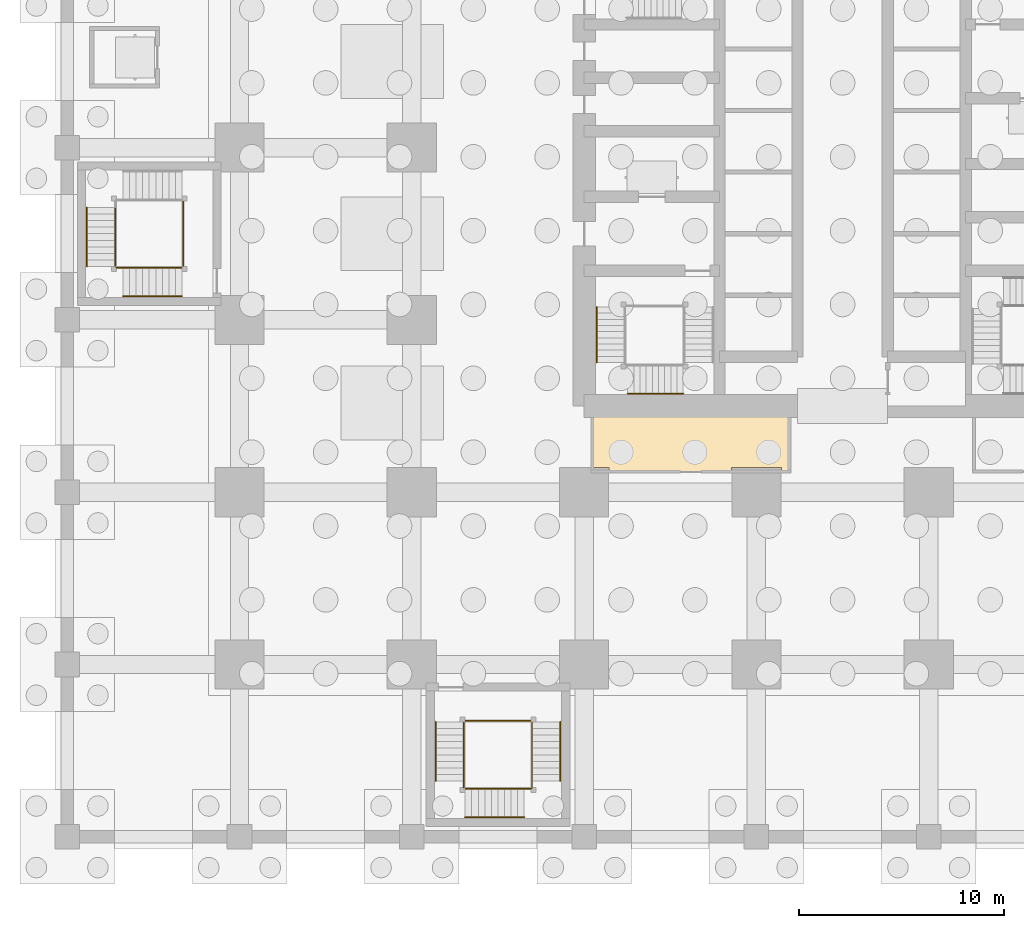
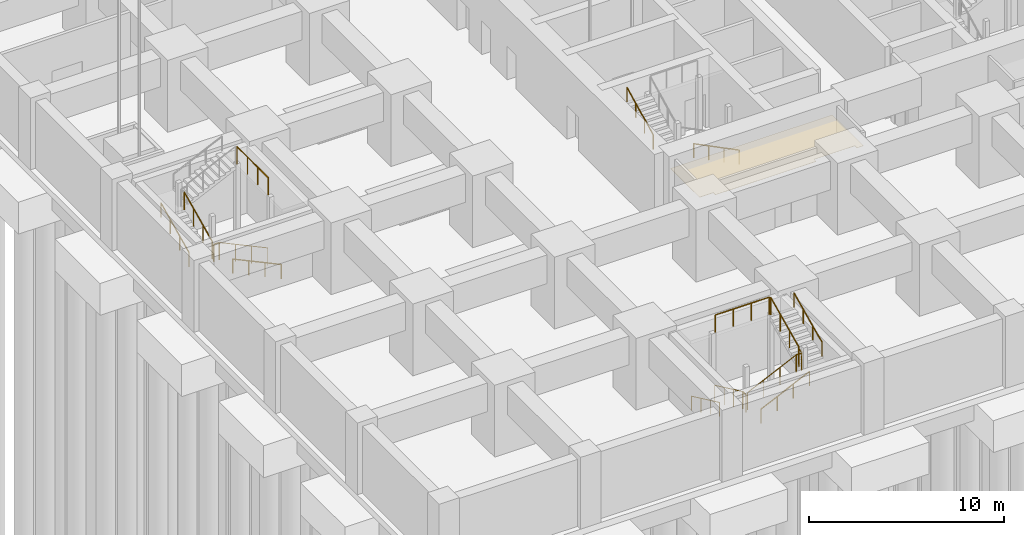
# One storey, part 12 of 28: 18 railings, 1 covering.
"""IFC4 building model written with IfcOpenShell, lengths in metres."""

from ifc_helpers import new_model, si_unit, direction, frame, origin, origin_2d, place, context, subcontext, project, spatial, polyline, circle, outline, extrude, material, layer, layer_set, type_object, element, save


model = new_model("IFC4")

# Units and contexts
model_context = context("Model", 3, precision=1e-05, world=origin(), true_north=direction((0.0, 1.0)))
body_context = subcontext(model_context, "Body", "Model", "MODEL_VIEW")
ifc_project = project(units=[si_unit("LENGTHUNIT", "METRE"), si_unit("AREAUNIT", "SQUARE_METRE"), si_unit("VOLUMEUNIT", "CUBIC_METRE"), si_unit("PLANEANGLEUNIT", "RADIAN"), si_unit("MASSUNIT", "GRAM", prefix="KILO")], contexts=[model_context])

# Site, building, storey
site_placement = place(None, origin())
site = spatial("IfcSite", under=ifc_project, at=site_placement, CompositionType="ELEMENT")
building_placement = place(site_placement, origin())
building = spatial("IfcBuilding", under=site, at=building_placement, Name="Rekha Terrace Tower", CompositionType="ELEMENT")
storey_placement = place(building_placement, frame((0.0, 0.0, -9.89990234375)))
storey = spatial("IfcBuildingStorey", under=building, at=storey_placement, Name="B-02", CompositionType="ELEMENT", Elevation=-9.89990234375)

# Covering
ifc_material_1 = material(Name="Fibre cement board", Category="finish")
ifc_layer = layer(ifc_material_1, 0.014892578125)
ifc_layer_set = layer_set([ifc_layer], Name="Fibre cement board")
covering_type = type_object("IfcCoveringType", Name="CL2 moisture-resistant board ceiling", PredefinedType="CEILING", material=ifc_layer_set)
covering_placement = place(storey_placement, frame((0.0, 0.0, 3.284912109375)))
element("IfcCovering", 1, at=covering_placement, inside=storey, type_object=covering_type, Name="Ceiling B-02-WCM", PredefinedType="CEILING", context=body_context, shape_type="SweptSolid", body=[
    extrude(outline(polyline([(35.199951171875, 21.0), (25.60009765625, 21.0), (25.60009765625, 18.014892578125), (26.4150390625, 18.014892578125), (26.4150390625, 17.800048828125), (32.385009765625, 17.800048828125), (32.385009765625, 18.014892578125), (34.81494140625, 18.014892578125), (34.81494140625, 17.800048828125), (35.199951171875, 17.800048828125), (35.199951171875, 21.0)])), origin(), (0.0, 0.0, 1.0), 0.014892578125),
])

# Railings
ifc_material_2 = material(Name="Stainless steel balustrade", Category="steel")
railing_type_1 = type_object("IfcRailingType", Name="GR1 1100 stair guard", PredefinedType="GUARDRAIL", material=ifc_material_2)
railing_1_placement = place(storey_placement, frame((5.60009765625, 27.739990234375, 0.14990234375)))
element("IfcRailing", 2, at=railing_1_placement, inside=storey, type_object=railing_type_1, Name="Guard SP1 B-02 flight 1", PredefinedType="GUARDRAIL", context=body_context, shape_type="SweptSolid", body=[
    extrude(circle(Radius=0.02392578125, at=origin_2d()), frame((0.0, 0.0, 1.076171875), z_axis=(-0.905454327043, 0.0, 0.424443708447), x_axis=(0.0, -1.0, 0.0)), (0.0, 0.0, 1.0), 3.180908203125),
    extrude(circle(Radius=0.02099609375, at=origin_2d()), origin(), (0.0, 0.0, 1.0), 1.052001953125),
    extrude(circle(Radius=0.02099609375, at=origin_2d()), frame((-0.9599609375, 0.0, 0.449951171875)), (0.0, 0.0, 1.0), 1.052001953125),
    extrude(circle(Radius=0.02099609375, at=origin_2d()), frame((-1.920166015625, 0.0, 0.900146484375)), (0.0, 0.0, 1.0), 1.052001953125),
    extrude(circle(Radius=0.02099609375, at=origin_2d()), frame((-2.880126953125, 0.0, 1.35009765625)), (0.0, 0.0, 1.0), 1.052001953125),
])
railing_2_placement = place(storey_placement, frame((2.340087890625, 27.800048828125, 1.64990234375)))
element("IfcRailing", 3, at=railing_2_placement, inside=storey, type_object=railing_type_1, Name="Guard SP1 B-02 flight 2", PredefinedType="GUARDRAIL", context=body_context, shape_type="SweptSolid", body=[
    extrude(circle(Radius=0.02392578125, at=origin_2d()), frame((0.0, 0.0, 1.076171875), z_axis=(0.0, 0.905440498372, 0.424473207528), x_axis=(-1.0, 0.0, 0.0)), (0.0, 0.0, 1.0), 3.1806640625),
    extrude(circle(Radius=0.02099609375, at=origin_2d()), origin(), (0.0, 0.0, 1.0), 1.052001953125),
    extrude(circle(Radius=0.02099609375, at=origin_2d()), frame((0.0, 0.9599609375, 0.449951171875)), (0.0, 0.0, 1.0), 1.052001953125),
    extrude(circle(Radius=0.02099609375, at=origin_2d()), frame((0.0, 1.919921875, 0.900146484375)), (0.0, 0.0, 1.0), 1.052001953125),
    extrude(circle(Radius=0.02099609375, at=origin_2d()), frame((0.0, 2.8798828125, 1.35009765625)), (0.0, 0.0, 1.0), 1.052001953125),
])
railing_3_placement = place(storey_placement, frame((2.719970703125, 27.739990234375, 1.5)))
element("IfcRailing", 4, at=railing_3_placement, inside=storey, type_object=railing_type_1, Name="Guard SP1 B-02 landing 1", PredefinedType="GUARDRAIL", context=body_context, shape_type="SweptSolid", body=[
    extrude(circle(Radius=0.02392578125, at=origin_2d()), frame((0.0, 0.0, 1.076171875), z_axis=(-1.0, 0.0, 0.0), x_axis=(0.0, -1.0, 0.0)), (0.0, 0.0, 1.0), 0.320068359375),
    extrude(circle(Radius=0.02099609375, at=origin_2d()), origin(), (0.0, 0.0, 1.0), 1.052001953125),
    extrude(circle(Radius=0.02099609375, at=origin_2d()), frame((-0.320068359375, 0.0, 0.0)), (0.0, 0.0, 1.0), 1.052001953125),
])
railing_4_placement = place(storey_placement, frame((5.659912109375, 27.800048828125, 4.5)))
element("IfcRailing", 5, at=railing_4_placement, inside=storey, type_object=railing_type_1, Name="Guard SP1 B-02 landing 4", PredefinedType="GUARDRAIL", context=body_context, shape_type="SweptSolid", body=[
    extrude(circle(Radius=0.02392578125, at=origin_2d()), frame((0.0, 0.0, 1.076171875), z_axis=(0.0, 1.0, 0.0), x_axis=(-1.0, 0.0, 0.0)), (0.0, 0.0, 1.0), 3.199951171875),
    extrude(circle(Radius=0.02099609375, at=origin_2d()), origin(), (0.0, 0.0, 1.0), 1.052001953125),
    extrude(circle(Radius=0.02099609375, at=origin_2d()), frame((0.0, 1.066650390625, 0.0)), (0.0, 0.0, 1.0), 1.052001953125),
    extrude(circle(Radius=0.02099609375, at=origin_2d()), frame((0.0, 2.13330078125, 0.0)), (0.0, 0.0, 1.0), 1.052001953125),
    extrude(circle(Radius=0.02099609375, at=origin_2d()), frame((0.0, 3.199951171875, 0.0)), (0.0, 0.0, 1.0), 1.052001953125),
])
railing_5_placement = place(storey_placement, frame((19.340087890625, 5.60009765625, 0.14990234375)))
element("IfcRailing", 6, at=railing_5_placement, inside=storey, type_object=railing_type_1, Name="Guard SP3 B-02 flight 1", PredefinedType="GUARDRAIL", context=body_context, shape_type="SweptSolid", body=[
    extrude(circle(Radius=0.02392578125, at=origin_2d()), frame((0.0, 0.0, 1.076171875), z_axis=(0.0, -0.905454327043, 0.424443708447), x_axis=(1.0, 0.0, 0.0)), (0.0, 0.0, 1.0), 3.180908203125),
    extrude(circle(Radius=0.02099609375, at=origin_2d()), origin(), (0.0, 0.0, 1.0), 1.052001953125),
    extrude(circle(Radius=0.02099609375, at=origin_2d()), frame((0.0, -0.9599609375, 0.449951171875)), (0.0, 0.0, 1.0), 1.052001953125),
    extrude(circle(Radius=0.02099609375, at=origin_2d()), frame((0.0, -1.920166015625, 0.900146484375)), (0.0, 0.0, 1.0), 1.052001953125),
    extrude(circle(Radius=0.02099609375, at=origin_2d()), frame((0.0, -2.880126953125, 1.35009765625)), (0.0, 0.0, 1.0), 1.052001953125),
])
railing_6_placement = place(storey_placement, frame((19.39990234375, 2.340087890625, 1.64990234375)))
element("IfcRailing", 7, at=railing_6_placement, inside=storey, type_object=railing_type_1, Name="Guard SP3 B-02 flight 2", PredefinedType="GUARDRAIL", context=body_context, shape_type="SweptSolid", body=[
    extrude(circle(Radius=0.02392578125, at=origin_2d()), frame((0.0, 0.0, 1.076171875), z_axis=(0.905454327043, 0.0, 0.424443708447), x_axis=(0.0, 1.0, 0.0)), (0.0, 0.0, 1.0), 3.180908203125),
    extrude(circle(Radius=0.02099609375, at=origin_2d()), origin(), (0.0, 0.0, 1.0), 1.052001953125),
    extrude(circle(Radius=0.02099609375, at=origin_2d()), frame((0.9599609375, 0.0, 0.449951171875)), (0.0, 0.0, 1.0), 1.052001953125),
    extrude(circle(Radius=0.02099609375, at=origin_2d()), frame((1.920166015625, 0.0, 0.900146484375)), (0.0, 0.0, 1.0), 1.052001953125),
    extrude(circle(Radius=0.02099609375, at=origin_2d()), frame((2.880126953125, 0.0, 1.35009765625)), (0.0, 0.0, 1.0), 1.052001953125),
])
railing_7_placement = place(storey_placement, frame((22.659912109375, 2.719970703125, 3.14990234375)))
element("IfcRailing", 8, at=railing_7_placement, inside=storey, type_object=railing_type_1, Name="Guard SP3 B-02 flight 3", PredefinedType="GUARDRAIL", context=body_context, shape_type="SweptSolid", body=[
    extrude(circle(Radius=0.02392578125, at=origin_2d()), frame((0.0, 0.0, 1.076171875), z_axis=(0.0, 0.905454327043, 0.424443708447), x_axis=(-1.0, 0.0, 0.0)), (0.0, 0.0, 1.0), 3.180908203125),
    extrude(circle(Radius=0.02099609375, at=origin_2d()), origin(), (0.0, 0.0, 1.0), 1.052001953125),
    extrude(circle(Radius=0.02099609375, at=origin_2d()), frame((0.0, 0.9599609375, 0.449951171875)), (0.0, 0.0, 1.0), 1.052001953125),
    extrude(circle(Radius=0.02099609375, at=origin_2d()), frame((0.0, 1.920166015625, 0.900146484375)), (0.0, 0.0, 1.0), 1.052001953125),
    extrude(circle(Radius=0.02099609375, at=origin_2d()), frame((0.0, 2.880126953125, 1.35009765625)), (0.0, 0.0, 1.0), 1.052001953125),
])
railing_8_placement = place(storey_placement, frame((19.340087890625, 2.719970703125, 1.5)))
element("IfcRailing", 9, at=railing_8_placement, inside=storey, type_object=railing_type_1, Name="Guard SP3 B-02 landing 1", PredefinedType="GUARDRAIL", context=body_context, shape_type="SweptSolid", body=[
    extrude(circle(Radius=0.02392578125, at=origin_2d()), frame((0.0, 0.0, 1.076171875), z_axis=(0.0, -1.0, 0.0), x_axis=(1.0, 0.0, 0.0)), (0.0, 0.0, 1.0), 0.320068359375),
    extrude(circle(Radius=0.02099609375, at=origin_2d()), origin(), (0.0, 0.0, 1.0), 1.052001953125),
    extrude(circle(Radius=0.02099609375, at=origin_2d()), frame((0.0, -0.320068359375, 0.0)), (0.0, 0.0, 1.0), 1.052001953125),
])
railing_9_placement = place(storey_placement, frame((22.280029296875, 2.340087890625, 3.0)))
element("IfcRailing", 10, at=railing_9_placement, inside=storey, type_object=railing_type_1, Name="Guard SP3 B-02 landing 2", PredefinedType="GUARDRAIL", context=body_context, shape_type="SweptSolid", body=[
    extrude(circle(Radius=0.02392578125, at=origin_2d()), frame((0.0, 0.0, 1.076171875), z_axis=(1.0, 0.0, 0.0), x_axis=(0.0, 1.0, 0.0)), (0.0, 0.0, 1.0), 0.320068359375),
    extrude(circle(Radius=0.02099609375, at=origin_2d()), origin(), (0.0, 0.0, 1.0), 1.052001953125),
    extrude(circle(Radius=0.02099609375, at=origin_2d()), frame((0.320068359375, 0.0, 0.0)), (0.0, 0.0, 1.0), 1.052001953125),
])
railing_10_placement = place(storey_placement, frame((22.659912109375, 2.719970703125, 3.0)))
element("IfcRailing", 11, at=railing_10_placement, inside=storey, type_object=railing_type_1, Name="Guard SP3 B-02 landing 3", PredefinedType="GUARDRAIL", context=body_context, shape_type="SweptSolid", body=[
    extrude(circle(Radius=0.02392578125, at=origin_2d()), frame((0.0, 0.0, 1.076171875), z_axis=(0.0, -1.0, 0.0), x_axis=(1.0, 0.0, 0.0)), (0.0, 0.0, 1.0), 0.320068359375),
    extrude(circle(Radius=0.02099609375, at=origin_2d()), origin(), (0.0, 0.0, 1.0), 1.052001953125),
    extrude(circle(Radius=0.02099609375, at=origin_2d()), frame((0.0, -0.320068359375, 0.0)), (0.0, 0.0, 1.0), 1.052001953125),
])
railing_11_placement = place(storey_placement, frame((19.39990234375, 5.659912109375, 4.5)))
element("IfcRailing", 12, at=railing_11_placement, inside=storey, type_object=railing_type_1, Name="Guard SP3 B-02 landing 4", PredefinedType="GUARDRAIL", context=body_context, shape_type="SweptSolid", body=[
    extrude(circle(Radius=0.02392578125, at=origin_2d()), frame((0.0, 0.0, 1.076171875), z_axis=(1.0, 0.0, 0.0), x_axis=(0.0, 1.0, 0.0)), (0.0, 0.0, 1.0), 3.2001953125),
    extrude(circle(Radius=0.02099609375, at=origin_2d()), origin(), (0.0, 0.0, 1.0), 1.052001953125),
    extrude(circle(Radius=0.02099609375, at=origin_2d()), frame((1.066650390625, 0.0, 0.0)), (0.0, 0.0, 1.0), 1.052001953125),
    extrude(circle(Radius=0.02099609375, at=origin_2d()), frame((2.133544921875, 0.0, 0.0)), (0.0, 0.0, 1.0), 1.052001953125),
    extrude(circle(Radius=0.02099609375, at=origin_2d()), frame((3.2001953125, 0.0, 0.0)), (0.0, 0.0, 1.0), 1.052001953125),
])
ifc_material_3 = material(Name="Stainless steel tube", Category="steel")
railing_type_2 = type_object("IfcRailingType", Name="HR1 900 stair handrail", PredefinedType="HANDRAIL", material=ifc_material_3)
railing_12_placement = place(storey_placement, frame((5.60009765625, 26.360107421875, 0.14990234375)))
element("IfcRailing", 13, at=railing_12_placement, inside=storey, type_object=railing_type_2, Name="Handrail SP1 B-02 flight 1", PredefinedType="HANDRAIL", context=body_context, shape_type="SweptSolid", body=[
    extrude(circle(Radius=0.02392578125, at=origin_2d()), frame((0.0, 0.0, 0.8759765625), z_axis=(-0.905454327043, 0.0, 0.424443708447), x_axis=(0.0, -1.0, 0.0)), (0.0, 0.0, 1.0), 3.180908203125),
    extrude(circle(Radius=0.02099609375, at=origin_2d()), origin(), (0.0, 0.0, 1.0), 0.851806640625),
    extrude(circle(Radius=0.02099609375, at=origin_2d()), frame((-0.9599609375, 0.0, 0.449951171875)), (0.0, 0.0, 1.0), 0.851806640625),
    extrude(circle(Radius=0.02099609375, at=origin_2d()), frame((-1.920166015625, 0.0, 0.900146484375)), (0.0, 0.0, 1.0), 0.851806640625),
    extrude(circle(Radius=0.02099609375, at=origin_2d()), frame((-2.880126953125, 0.0, 1.35009765625)), (0.0, 0.0, 1.0), 0.851806640625),
])
railing_13_placement = place(storey_placement, frame((0.9599609375, 27.800048828125, 1.64990234375)))
element("IfcRailing", 14, at=railing_13_placement, inside=storey, type_object=railing_type_2, Name="Handrail SP1 B-02 flight 2", PredefinedType="HANDRAIL", context=body_context, shape_type="SweptSolid", body=[
    extrude(circle(Radius=0.02392578125, at=origin_2d()), frame((0.0, 0.0, 0.8759765625), z_axis=(0.0, 0.905440498372, 0.424473207528), x_axis=(-1.0, 0.0, 0.0)), (0.0, 0.0, 1.0), 3.1806640625),
    extrude(circle(Radius=0.02099609375, at=origin_2d()), origin(), (0.0, 0.0, 1.0), 0.851806640625),
    extrude(circle(Radius=0.02099609375, at=origin_2d()), frame((0.0, 0.9599609375, 0.449951171875)), (0.0, 0.0, 1.0), 0.851806640625),
    extrude(circle(Radius=0.02099609375, at=origin_2d()), frame((0.0, 1.919921875, 0.900146484375)), (0.0, 0.0, 1.0), 0.851806640625),
    extrude(circle(Radius=0.02099609375, at=origin_2d()), frame((0.0, 2.8798828125, 1.35009765625)), (0.0, 0.0, 1.0), 0.851806640625),
])
railing_14_placement = place(storey_placement, frame((17.9599609375, 5.60009765625, 0.14990234375)))
element("IfcRailing", 15, at=railing_14_placement, inside=storey, type_object=railing_type_2, Name="Handrail SP3 B-02 flight 1", PredefinedType="HANDRAIL", context=body_context, shape_type="SweptSolid", body=[
    extrude(circle(Radius=0.02392578125, at=origin_2d()), frame((0.0, 0.0, 0.8759765625), z_axis=(0.0, -0.905454327043, 0.424443708447), x_axis=(1.0, 0.0, 0.0)), (0.0, 0.0, 1.0), 3.180908203125),
    extrude(circle(Radius=0.02099609375, at=origin_2d()), origin(), (0.0, 0.0, 1.0), 0.851806640625),
    extrude(circle(Radius=0.02099609375, at=origin_2d()), frame((0.0, -0.9599609375, 0.449951171875)), (0.0, 0.0, 1.0), 0.851806640625),
    extrude(circle(Radius=0.02099609375, at=origin_2d()), frame((0.0, -1.920166015625, 0.900146484375)), (0.0, 0.0, 1.0), 0.851806640625),
    extrude(circle(Radius=0.02099609375, at=origin_2d()), frame((0.0, -2.880126953125, 1.35009765625)), (0.0, 0.0, 1.0), 0.851806640625),
])
railing_15_placement = place(storey_placement, frame((19.39990234375, 0.9599609375, 1.64990234375)))
element("IfcRailing", 16, at=railing_15_placement, inside=storey, type_object=railing_type_2, Name="Handrail SP3 B-02 flight 2", PredefinedType="HANDRAIL", context=body_context, shape_type="SweptSolid", body=[
    extrude(circle(Radius=0.02392578125, at=origin_2d()), frame((0.0, 0.0, 0.8759765625), z_axis=(0.905454327043, 0.0, 0.424443708447), x_axis=(0.0, 1.0, 0.0)), (0.0, 0.0, 1.0), 3.180908203125),
    extrude(circle(Radius=0.02099609375, at=origin_2d()), origin(), (0.0, 0.0, 1.0), 0.851806640625),
    extrude(circle(Radius=0.02099609375, at=origin_2d()), frame((0.9599609375, 0.0, 0.449951171875)), (0.0, 0.0, 1.0), 0.851806640625),
    extrude(circle(Radius=0.02099609375, at=origin_2d()), frame((1.920166015625, 0.0, 0.900146484375)), (0.0, 0.0, 1.0), 0.851806640625),
    extrude(circle(Radius=0.02099609375, at=origin_2d()), frame((2.880126953125, 0.0, 1.35009765625)), (0.0, 0.0, 1.0), 0.851806640625),
])
railing_16_placement = place(storey_placement, frame((24.0400390625, 2.719970703125, 3.14990234375)))
element("IfcRailing", 17, at=railing_16_placement, inside=storey, type_object=railing_type_2, Name="Handrail SP3 B-02 flight 3", PredefinedType="HANDRAIL", context=body_context, shape_type="SweptSolid", body=[
    extrude(circle(Radius=0.02392578125, at=origin_2d()), frame((0.0, 0.0, 0.8759765625), z_axis=(0.0, 0.905454327043, 0.424443708447), x_axis=(-1.0, 0.0, 0.0)), (0.0, 0.0, 1.0), 3.180908203125),
    extrude(circle(Radius=0.02099609375, at=origin_2d()), origin(), (0.0, 0.0, 1.0), 0.851806640625),
    extrude(circle(Radius=0.02099609375, at=origin_2d()), frame((0.0, 0.9599609375, 0.449951171875)), (0.0, 0.0, 1.0), 0.851806640625),
    extrude(circle(Radius=0.02099609375, at=origin_2d()), frame((0.0, 1.920166015625, 0.900146484375)), (0.0, 0.0, 1.0), 0.851806640625),
    extrude(circle(Radius=0.02099609375, at=origin_2d()), frame((0.0, 2.880126953125, 1.35009765625)), (0.0, 0.0, 1.0), 0.851806640625),
])
railing_17_placement = place(storey_placement, frame((30.02490234375, 21.610107421875, 1.64990234375)))
element("IfcRailing", 18, at=railing_17_placement, inside=storey, type_object=railing_type_2, Name="Handrail ST1 B-02 flight 2", PredefinedType="HANDRAIL", context=body_context, shape_type="SweptSolid", body=[
    extrude(circle(Radius=0.02392578125, at=origin_2d()), frame((0.0, 0.0, 0.8759765625), z_axis=(-0.894411015155, 0.0, 0.447245945728), x_axis=(0.0, -1.0, 0.0)), (0.0, 0.0, 1.0), 3.018798828125),
    extrude(circle(Radius=0.02099609375, at=origin_2d()), origin(), (0.0, 0.0, 1.0), 0.851806640625),
    extrude(circle(Radius=0.02099609375, at=origin_2d()), frame((-0.89990234375, 0.0, 0.449951171875)), (0.0, 0.0, 1.0), 0.851806640625),
    extrude(circle(Radius=0.02099609375, at=origin_2d()), frame((-1.800048828125, 0.0, 0.900146484375)), (0.0, 0.0, 1.0), 0.851806640625),
    extrude(circle(Radius=0.02099609375, at=origin_2d()), frame((-2.699951171875, 0.0, 1.35009765625)), (0.0, 0.0, 1.0), 0.851806640625),
])
railing_18_placement = place(storey_placement, frame((25.81005859375, 23.125, 3.14990234375)))
element("IfcRailing", 19, at=railing_18_placement, inside=storey, type_object=railing_type_2, Name="Handrail ST1 B-02 flight 3", PredefinedType="HANDRAIL", context=body_context, shape_type="SweptSolid", body=[
    extrude(circle(Radius=0.02392578125, at=origin_2d()), frame((0.0, 0.0, 0.8759765625), z_axis=(0.0, 0.894411015155, 0.447245945728), x_axis=(-1.0, 0.0, 0.0)), (0.0, 0.0, 1.0), 3.018798828125),
    extrude(circle(Radius=0.02099609375, at=origin_2d()), origin(), (0.0, 0.0, 1.0), 0.851806640625),
    extrude(circle(Radius=0.02099609375, at=origin_2d()), frame((0.0, 0.89990234375, 0.449951171875)), (0.0, 0.0, 1.0), 0.851806640625),
    extrude(circle(Radius=0.02099609375, at=origin_2d()), frame((0.0, 1.800048828125, 0.900146484375)), (0.0, 0.0, 1.0), 0.851806640625),
    extrude(circle(Radius=0.02099609375, at=origin_2d()), frame((0.0, 2.699951171875, 1.35009765625)), (0.0, 0.0, 1.0), 0.851806640625),
])

save(model, "model.ifc")
